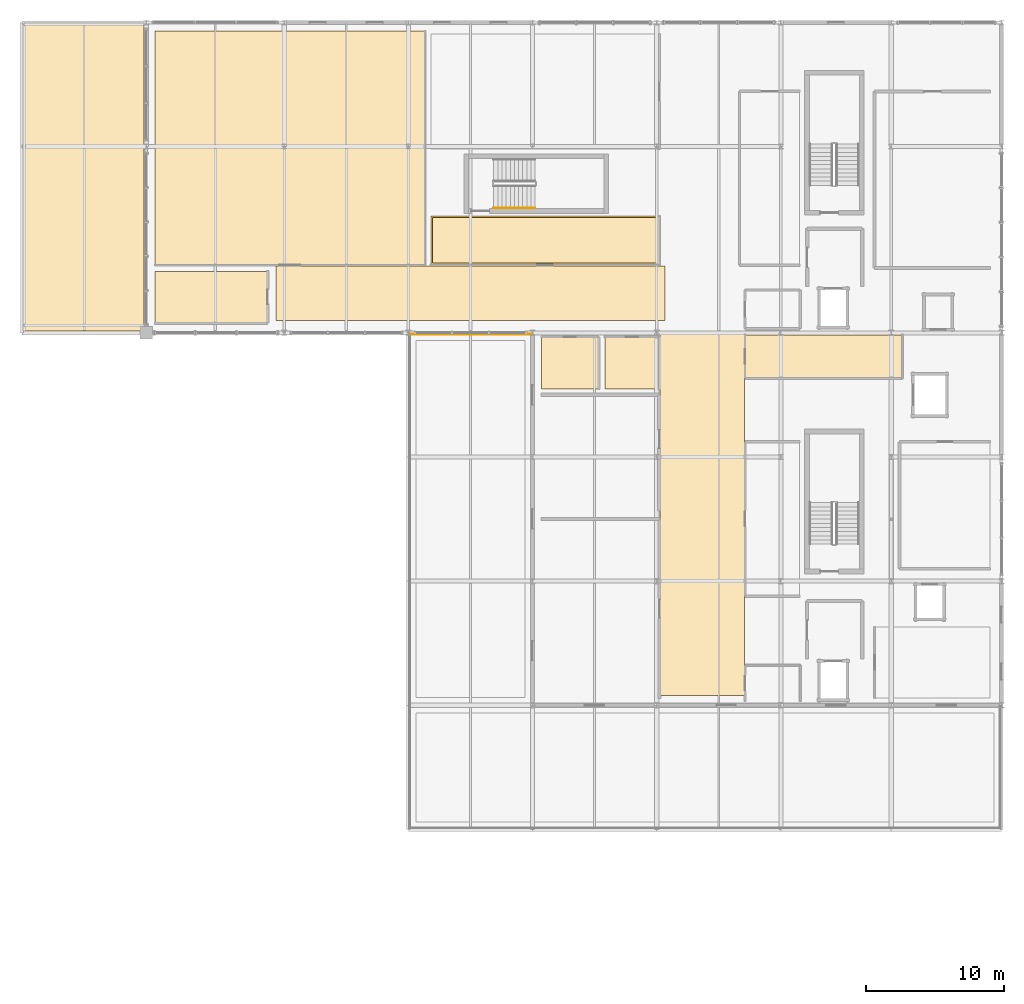
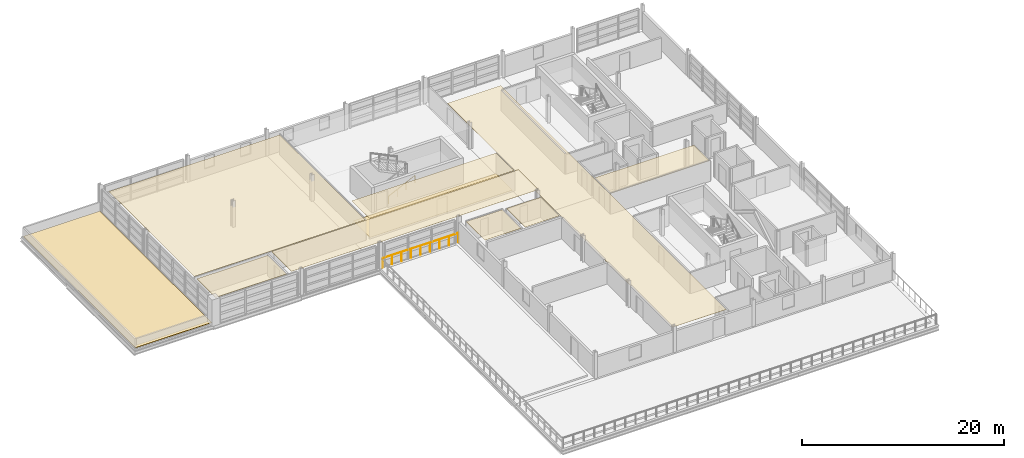
# One storey, part 28 of 30: 10 coverings, 2 railings.
"""IFC4 building model written with IfcOpenShell, lengths in metres."""

from ifc_helpers import new_model, si_unit, direction, frame, origin, origin_2d, place, context, subcontext, project, spatial, polyline, circle, outline, extrude, material, layer, layer_set, type_object, element, save


model = new_model("IFC4")

# Units and contexts
model_context = context("Model", 3, precision=1e-05, world=origin(), true_north=direction((0.0, 1.0)))
body_context = subcontext(model_context, "Body", "Model", "MODEL_VIEW")
ifc_project = project(units=[si_unit("LENGTHUNIT", "METRE"), si_unit("AREAUNIT", "SQUARE_METRE"), si_unit("VOLUMEUNIT", "CUBIC_METRE"), si_unit("PLANEANGLEUNIT", "RADIAN"), si_unit("MASSUNIT", "GRAM", prefix="KILO")], contexts=[model_context])

# Site, building, storey
site_placement = place(None, origin())
site = spatial("IfcSite", under=ifc_project, at=site_placement, CompositionType="ELEMENT")
building_placement = place(site_placement, origin())
building = spatial("IfcBuilding", under=site, at=building_placement, Name="Chuanluo Vaults Station", CompositionType="ELEMENT")
storey_placement = place(building_placement, frame((0.0, 0.0, 17.60009765625)))
storey = spatial("IfcBuildingStorey", under=building, at=storey_placement, Name="L04", CompositionType="ELEMENT", Elevation=17.60009765625)

# Coverings
ifc_material_1 = material(Name="Acoustic mineral-fibre tile")
ifc_layer_1 = layer(ifc_material_1, 0.02490234375)
ifc_layer_set_1 = layer_set([ifc_layer_1], Name="Acoustic mineral-fibre tile")
covering_type_1 = type_object("IfcCoveringType", Name="COV-CEIL-TILE", PredefinedType="CEILING", material=ifc_layer_set_1)
covering_1_placement = place(storey_placement, frame((0.0, 0.0, 2.39990234375)))
element("IfcCovering", 1, at=covering_1_placement, inside=storey, type_object=covering_type_1, Name="L04-01 suspended acoustic ceiling", PredefinedType="CEILING", context=body_context, shape_type="SweptSolid", body=[
    extrude(outline(polyline([(126.639892578125, 108.43994140625), (146.159912109375, 108.43994140625), (146.159912109375, 125.360107421875), (126.639892578125, 125.360107421875), (126.639892578125, 108.43994140625)])), origin(), (0.0, 0.0, 1.0), 0.02490234375),
])
covering_2_placement = place(storey_placement, frame((0.0, 0.0, 2.39990234375)))
element("IfcCovering", 2, at=covering_2_placement, inside=storey, type_object=covering_type_1, Name="L04-04B suspended acoustic ceiling", PredefinedType="CEILING", context=body_context, shape_type="SweptSolid", body=[
    extrude(outline(polyline([(169.43994140625, 100.239990234375), (180.760009765625, 100.239990234375), (180.760009765625, 103.360107421875), (169.43994140625, 103.360107421875), (169.43994140625, 100.239990234375)])), origin(), (0.0, 0.0, 1.0), 0.02490234375),
])
covering_3_placement = place(storey_placement, frame((0.0, 0.0, 2.39990234375)))
element("IfcCovering", 3, at=covering_3_placement, inside=storey, type_object=covering_type_1, Name="L04-05 suspended acoustic ceiling", PredefinedType="CEILING", context=body_context, shape_type="SweptSolid", body=[
    extrude(outline(polyline([(163.239990234375, 77.199951171875), (169.360107421875, 77.199951171875), (169.360107421875, 121.800048828125), (163.239990234375, 121.800048828125), (163.239990234375, 77.199951171875)])), origin(), (0.0, 0.0, 1.0), 0.02490234375),
])
covering_4_placement = place(storey_placement, frame((0.0, 0.0, 2.39990234375)))
element("IfcCovering", 4, at=covering_4_placement, inside=storey, type_object=covering_type_1, Name="L04-06 suspended acoustic ceiling", PredefinedType="CEILING", context=body_context, shape_type="SweptSolid", body=[
    extrude(outline(polyline([(135.39990234375, 104.39990234375), (163.60009765625, 104.39990234375), (163.60009765625, 108.360107421875), (135.39990234375, 108.360107421875), (135.39990234375, 104.39990234375)])), origin(), (0.0, 0.0, 1.0), 0.02490234375),
])
covering_5_placement = place(storey_placement, frame((0.0, 0.0, 2.39990234375)))
element("IfcCovering", 5, at=covering_5_placement, inside=storey, type_object=covering_type_1, Name="L04-07 suspended acoustic ceiling", PredefinedType="CEILING", context=body_context, shape_type="SweptSolid", body=[
    extrude(outline(polyline([(146.639892578125, 108.43994140625), (163.159912109375, 108.43994140625), (163.159912109375, 111.9599609375), (146.639892578125, 111.9599609375), (146.639892578125, 108.43994140625)])), origin(), (0.0, 0.0, 1.0), 0.02490234375),
])
covering_6_placement = place(storey_placement, frame((0.0, 0.0, 2.4248046875)))
element("IfcCovering", 6, at=covering_6_placement, inside=storey, type_object=covering_type_1, Name="L04-10 suspended acoustic ceiling", PredefinedType="CEILING", context=body_context, shape_type="SweptSolid", body=[
    extrude(outline(polyline([(154.639892578125, 99.43994140625), (158.760009765625, 99.43994140625), (158.760009765625, 103.159912109375), (154.639892578125, 103.159912109375), (154.639892578125, 99.43994140625)])), origin(), (0.0, 0.0, 1.0), 0.025146484375),
])
covering_7_placement = place(storey_placement, frame((0.0, 0.0, 2.39990234375)))
element("IfcCovering", 7, at=covering_7_placement, inside=storey, type_object=covering_type_1, Name="L04-11 suspended acoustic ceiling", PredefinedType="CEILING", context=body_context, shape_type="SweptSolid", body=[
    extrude(outline(polyline([(159.239990234375, 99.43994140625), (163.159912109375, 99.43994140625), (163.159912109375, 103.159912109375), (159.239990234375, 103.159912109375), (159.239990234375, 99.43994140625)])), origin(), (0.0, 0.0, 1.0), 0.02490234375),
])
covering_8_placement = place(storey_placement, frame((0.0, 0.0, 2.39990234375)))
element("IfcCovering", 8, at=covering_8_placement, inside=storey, type_object=covering_type_1, Name="L04-15 suspended acoustic ceiling", PredefinedType="CEILING", context=body_context, shape_type="SweptSolid", body=[
    extrude(outline(polyline([(126.639892578125, 104.239990234375), (134.760009765625, 104.239990234375), (134.760009765625, 107.9599609375), (126.639892578125, 107.9599609375), (126.639892578125, 104.239990234375)])), origin(), (0.0, 0.0, 1.0), 0.02490234375),
])
ifc_material_2 = material(Name="Granite stone flooring", Category="masonry")
ifc_layer_2 = layer(ifc_material_2, 0.034912109375)
ifc_layer_set_2 = layer_set([ifc_layer_2], Name="Granite stone flooring")
covering_type_2 = type_object("IfcCoveringType", Name="COV-FLOR-GRAN", PredefinedType="FLOORING", material=ifc_layer_set_2)
covering_9_placement = place(storey_placement, origin())
element("IfcCovering", 9, at=covering_9_placement, inside=storey, type_object=covering_type_2, Name="L04-07 granite floor finish", PredefinedType="FLOORING", context=body_context, shape_type="SweptSolid", body=[
    extrude(outline(polyline([(146.75, 108.550048828125), (163.050048828125, 108.550048828125), (163.050048828125, 111.85009765625), (146.75, 111.85009765625), (146.75, 108.550048828125)])), origin(), (0.0, 0.0, 1.0), 0.034912109375),
])
ifc_material_3 = material(Name="TPO waterproof roofing membrane")
ifc_layer_3 = layer(ifc_material_3, 0.044921875)
ifc_layer_set_3 = layer_set([ifc_layer_3], Name="TPO waterproof roofing membrane")
covering_type_3 = type_object("IfcCoveringType", Name="COV-ROOF-TPO", PredefinedType="ROOFING", material=ifc_layer_set_3)
covering_10_placement = place(storey_placement, origin())
element("IfcCovering", 10, at=covering_10_placement, inside=storey, type_object=covering_type_3, Name="Waterproof TPO roof membrane ROOF:L04:OPSW", PredefinedType="ROOFING", context=body_context, shape_type="SweptSolid", body=[
    extrude(outline(polyline([(117.14990234375, 103.64990234375), (125.85009765625, 103.64990234375), (125.85009765625, 125.85009765625), (117.14990234375, 125.85009765625), (117.14990234375, 103.64990234375)])), origin(), (0.0, 0.0, 1.0), 0.044921875),
])

# Railings
ifc_material_4 = material(Name="Tempered laminated balustrade glass", Category="glass")
railing_type_1 = type_object("IfcRailingType", Name="RLG-GUARD-1200", PredefinedType="BALUSTRADE", material=ifc_material_4)
railing_1_placement = place(storey_placement, frame((145.199951171875, 103.39990234375, 0.0)))
element("IfcRailing", 11, at=railing_1_placement, inside=storey, type_object=railing_type_1, Name="Planted terrace perimeter balustrade TER-OPS-L04-N", PredefinedType="BALUSTRADE", context=body_context, shape_type="SweptSolid", body=[
    extrude(circle(Radius=0.02392578125, at=origin_2d()), frame((0.0, 0.0, 1.17578125), z_axis=(1.0, 0.0, 0.0), x_axis=(0.0, 1.0, 0.0)), (0.0, 0.0, 1.0), 8.699951171875),
    extrude(circle(Radius=0.02099609375, at=origin_2d()), origin(), (0.0, 0.0, 1.0), 1.15185546875),
    extrude(circle(Radius=0.02099609375, at=origin_2d()), frame((1.08740234375, 0.0, 0.0)), (0.0, 0.0, 1.0), 1.15185546875),
    extrude(circle(Radius=0.02099609375, at=origin_2d()), frame((2.175048828125, 0.0, 0.0)), (0.0, 0.0, 1.0), 1.15185546875),
    extrude(circle(Radius=0.02099609375, at=origin_2d()), frame((3.262451171875, 0.0, 0.0)), (0.0, 0.0, 1.0), 1.15185546875),
    extrude(circle(Radius=0.02099609375, at=origin_2d()), frame((4.35009765625, 0.0, 0.0)), (0.0, 0.0, 1.0), 1.15185546875),
    extrude(circle(Radius=0.02099609375, at=origin_2d()), frame((5.4375, 0.0, 0.0)), (0.0, 0.0, 1.0), 1.15185546875),
    extrude(circle(Radius=0.02099609375, at=origin_2d()), frame((6.52490234375, 0.0, 0.0)), (0.0, 0.0, 1.0), 1.15185546875),
    extrude(circle(Radius=0.02099609375, at=origin_2d()), frame((7.612548828125, 0.0, 0.0)), (0.0, 0.0, 1.0), 1.15185546875),
    extrude(circle(Radius=0.02099609375, at=origin_2d()), frame((8.699951171875, 0.0, 0.0)), (0.0, 0.0, 1.0), 1.15185546875),
])
ifc_material_5 = material(Name="Brushed stainless steel 304", Category="steel")
railing_type_2 = type_object("IfcRailingType", Name="RLG-HAND-900", PredefinedType="HANDRAIL", material=ifc_material_5)
railing_2_placement = place(storey_placement, frame((151.1875, 112.550048828125, 0.145263671875)))
element("IfcRailing", 12, at=railing_2_placement, inside=storey, type_object=railing_type_2, Name="L04 ST-03 stair handrail 1", PredefinedType="HANDRAIL", context=body_context, shape_type="SweptSolid", body=[
    extrude(circle(Radius=0.02392578125, at=origin_2d()), frame((0.0, 0.0, 0.8759765625), z_axis=(0.899808880547, 0.0, 0.43628428632), x_axis=(0.0, 1.0, 0.0)), (0.0, 0.0, 1.0), 3.333984375),
    extrude(circle(Radius=0.02099609375, at=origin_2d()), origin(), (0.0, 0.0, 1.0), 0.851806640625),
    extrude(circle(Radius=0.02099609375, at=origin_2d()), frame((1.0, 0.0, 0.48486328125)), (0.0, 0.0, 1.0), 0.851806640625),
    extrude(circle(Radius=0.02099609375, at=origin_2d()), frame((2.0, 0.0, 0.9697265625)), (0.0, 0.0, 1.0), 0.851806640625),
    extrude(circle(Radius=0.02099609375, at=origin_2d()), frame((3.0, 0.0, 1.45458984375)), (0.0, 0.0, 1.0), 0.851806640625),
])

save(model, "model.ifc")
